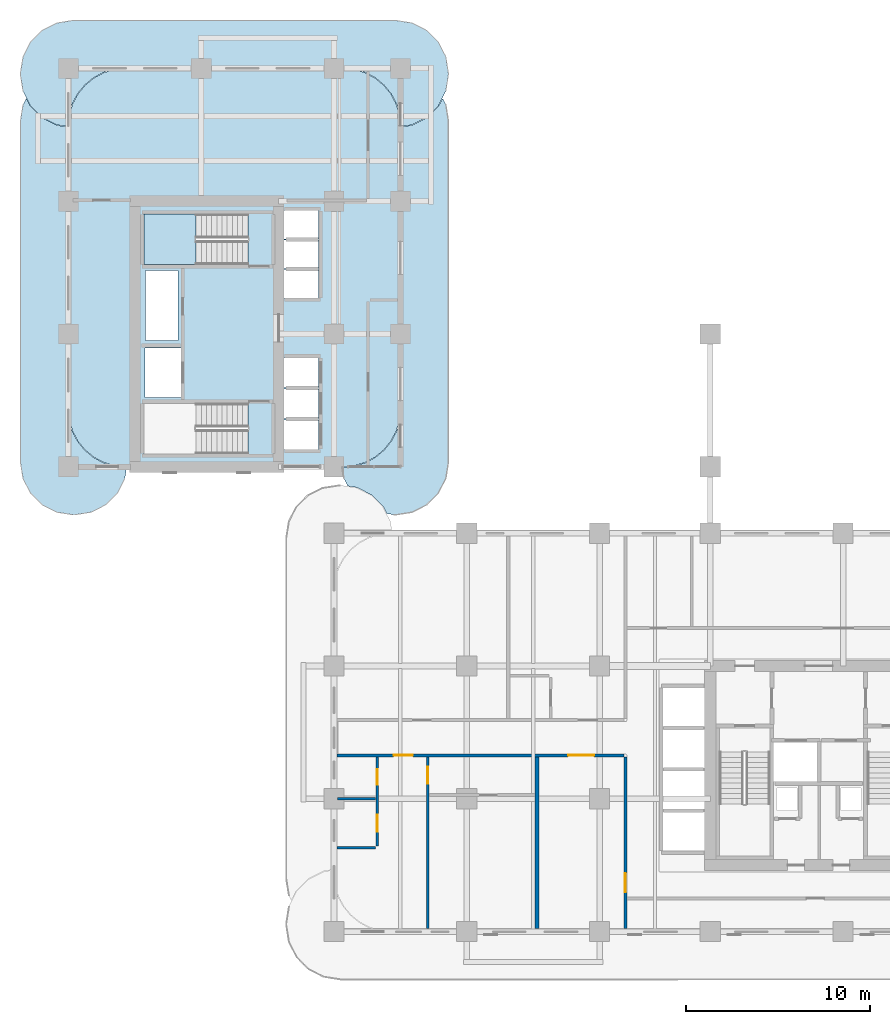
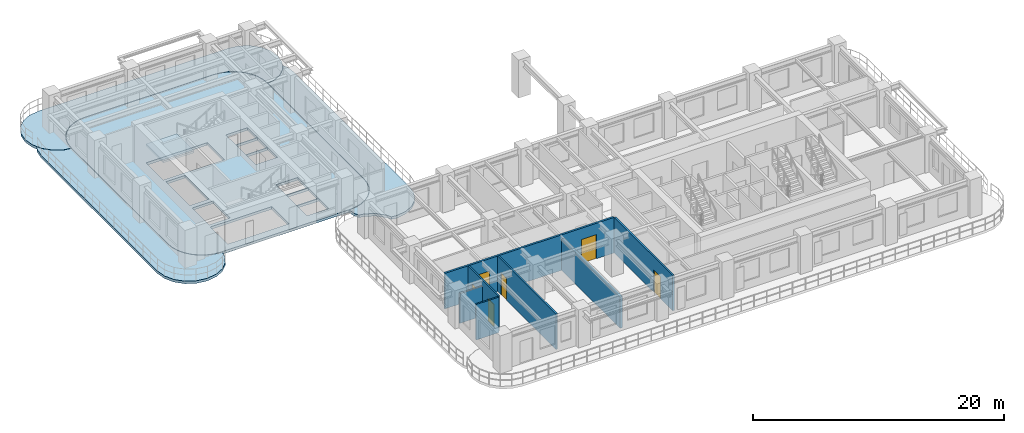
# One storey, part 6 of 19: 7 walls, 6 doors, 5 slabs, 6 openings, 1 element without a shape of its own.
"""IFC4 building model written with IfcOpenShell, lengths in metres."""

from ifc_helpers import new_model, si_unit, derived_unit, direction, frame, frame_2d, origin, place, context, subcontext, project, spatial, polyline, rectangle, outline, extrude, source, transform, mapped, material, layer, layer_set, type_object, type_shapes, element, fill, aggregate, save


model = new_model("IFC4")

# Units and contexts
model_context = context("Model", 3, precision=1e-05, world=origin(), true_north=direction((0.0, 1.0)))
body_context = subcontext(model_context, "Body", "Model", "MODEL_VIEW")
ifc_project = project(units=[si_unit("LENGTHUNIT", "METRE"), si_unit("AREAUNIT", "SQUARE_METRE"), si_unit("VOLUMEUNIT", "CUBIC_METRE"), si_unit("PLANEANGLEUNIT", "RADIAN"), si_unit("MASSUNIT", "GRAM", prefix="KILO"), si_unit("THERMODYNAMICTEMPERATUREUNIT", "KELVIN"), si_unit("POWERUNIT", "WATT"), derived_unit("THERMALTRANSMITTANCEUNIT", [(si_unit("POWERUNIT", "WATT"), 1), (si_unit("AREAUNIT", "SQUARE_METRE"), -1), (si_unit("THERMODYNAMICTEMPERATUREUNIT", "KELVIN"), -1)])], contexts=[model_context])

# Site, building, storey
site_placement = place(None, origin())
site = spatial("IfcSite", under=ifc_project, at=site_placement, CompositionType="ELEMENT")
building_placement = place(site_placement, origin())
building = spatial("IfcBuilding", under=site, at=building_placement, Name="Zahravan Archway Hotel and Residences", CompositionType="ELEMENT")
storey_placement = place(building_placement, frame((0.0, 0.0, 62.0)))
storey = spatial("IfcBuildingStorey", under=building, at=storey_placement, Name="L14", CompositionType="ELEMENT", Elevation=62.0)

# Slabs
ifc_material_1 = material(Name="Concrete C45/55", Category="concrete")
ifc_layer_1 = layer(ifc_material_1, 0.25, Name="Concrete C45/55", Category="concrete")
ifc_layer_set_1 = layer_set([ifc_layer_1], Name="Concrete C45/55")
slab_type_1 = type_object("IfcSlabType", Name="SLB-BALC-250", PredefinedType="FLOOR", material=ifc_layer_set_1)
slab_1_placement = place(storey_placement, frame((0.0, 0.0, -0.25)))
element("IfcSlab", 1, at=slab_1_placement, inside=storey, type_object=slab_type_1, Name="L14 Wing B North Rounded Balcony Band", PredefinedType="FLOOR", context=body_context, shape_type="SweptSolid", body=[
    extrude(outline(polyline([(-0.630615234375, 43.739501953125), (-1.42529296875, 44.144287109375), (-2.0556640625, 44.77490234375), (-2.46044921875, 45.5693359375), (-2.60009765625, 46.449951171875), (-2.60009765625, 46.550048828125), (-2.46044921875, 47.4306640625), (-2.0556640625, 48.22509765625), (-1.42529296875, 48.855712890625), (-0.630615234375, 49.260498046875), (0.25, 49.39990234375), (17.75, 49.39990234375), (18.630615234375, 49.260498046875), (19.42529296875, 48.855712890625), (20.0556640625, 48.22509765625), (20.46044921875, 47.4306640625), (20.60009765625, 46.550048828125), (20.60009765625, 46.449951171875), (20.46044921875, 45.5693359375), (20.0556640625, 44.77490234375), (19.42529296875, 44.144287109375), (18.630615234375, 43.739501953125), (18.02001953125, 43.642822265625), (18.02001953125, 43.699951171875), (18.02001953125, 43.701904296875), (17.960205078125, 44.306884765625), (17.9599609375, 44.30859375), (17.95947265625, 44.310546875), (17.783203125, 44.89208984375), (17.782470703125, 44.89404296875), (17.781494140625, 44.895751953125), (17.4951171875, 45.431640625), (17.494140625, 45.433349609375), (17.4931640625, 45.43505859375), (17.107421875, 45.90478515625), (17.106201171875, 45.906005859375), (17.104736328125, 45.907470703125), (16.635009765625, 46.293212890625), (16.63330078125, 46.294189453125), (16.631591796875, 46.295166015625), (16.095703125, 46.58154296875), (16.093994140625, 46.58251953125), (16.092041015625, 46.5830078125), (15.510498046875, 46.759521484375), (15.5087890625, 46.760009765625), (15.5068359375, 46.76025390625), (14.902099609375, 46.81982421875), (14.89990234375, 46.820068359375), (3.10009765625, 46.820068359375), (3.097900390625, 46.81982421875), (2.4931640625, 46.76025390625), (2.4912109375, 46.760009765625), (2.489501953125, 46.759521484375), (1.907958984375, 46.5830078125), (1.906005859375, 46.58251953125), (1.904296875, 46.58154296875), (1.368408203125, 46.295166015625), (1.36669921875, 46.294189453125), (1.364990234375, 46.293212890625), (0.895263671875, 45.907470703125), (0.893798828125, 45.906005859375), (0.892578125, 45.90478515625), (0.5068359375, 45.43505859375), (0.505859375, 45.433349609375), (0.5048828125, 45.431640625), (0.218505859375, 44.895751953125), (0.217529296875, 44.89404296875), (0.216796875, 44.89208984375), (0.04052734375, 44.310546875), (0.0400390625, 44.30859375), (0.039794921875, 44.306884765625), (-0.02001953125, 43.701904296875), (-0.02001953125, 43.699951171875), (-0.02001953125, 43.642822265625), (-0.630615234375, 43.739501953125)])), origin(), (0.0, 0.0, 1.0), 0.25),
])
slab_2_placement = place(storey_placement, frame((0.0, 0.0, -0.25)))
element("IfcSlab", 2, at=slab_2_placement, inside=storey, type_object=slab_type_1, Name="L14 Wing B West Rounded Balcony Band", PredefinedType="FLOOR", context=body_context, shape_type="SweptSolid", body=[
    extrude(outline(polyline([(3.060546875, 24.5693359375), (2.65576171875, 23.77490234375), (2.025146484375, 23.144287109375), (1.230712890625, 22.739501953125), (0.35009765625, 22.60009765625), (0.25, 22.60009765625), (-0.630615234375, 22.739501953125), (-1.42529296875, 23.144287109375), (-2.0556640625, 23.77490234375), (-2.46044921875, 24.5693359375), (-2.60009765625, 25.449951171875), (-2.60009765625, 43.949951171875), (-2.46044921875, 44.830810546875), (-2.28369140625, 45.177978515625), (-2.073486328125, 44.765625), (-2.072509765625, 44.763916015625), (-2.0712890625, 44.76220703125), (-2.06982421875, 44.7607421875), (-1.439208984375, 44.130126953125), (-1.437744140625, 44.12890625), (-1.43603515625, 44.12744140625), (-1.434326171875, 44.12646484375), (-0.639892578125, 43.7216796875), (-0.637939453125, 43.720703125), (-0.635986328125, 43.72021484375), (-0.6337890625, 43.7197265625), (-0.023193359375, 43.623046875), (-0.021240234375, 43.622802734375), (-0.02001953125, 43.622802734375), (-0.02001953125, 28.300048828125), (-0.02001953125, 28.298095703125), (0.039794921875, 27.693115234375), (0.0400390625, 27.69140625), (0.04052734375, 27.689453125), (0.216796875, 27.10791015625), (0.217529296875, 27.10595703125), (0.218505859375, 27.104248046875), (0.5048828125, 26.568359375), (0.505859375, 26.566650390625), (0.5068359375, 26.56494140625), (0.892578125, 26.09521484375), (0.893798828125, 26.093994140625), (0.895263671875, 26.092529296875), (1.364990234375, 25.706787109375), (1.36669921875, 25.705810546875), (1.368408203125, 25.704833984375), (1.904296875, 25.41845703125), (1.906005859375, 25.41748046875), (1.907958984375, 25.4169921875), (2.489501953125, 25.240478515625), (2.4912109375, 25.239990234375), (2.4931640625, 25.23974609375), (3.097900390625, 25.18017578125), (3.10009765625, 25.179931640625), (3.1572265625, 25.179931640625), (3.060546875, 24.5693359375)])), origin(), (0.0, 0.0, 1.0), 0.25),
])
slab_3_placement = place(storey_placement, frame((0.0, 0.0, -0.25)))
element("IfcSlab", 3, at=slab_3_placement, inside=storey, type_object=slab_type_1, Name="L14 Wing B East Rounded Balcony Band", PredefinedType="FLOOR", context=body_context, shape_type="SweptSolid", body=[
    extrude(outline(polyline([(20.46044921875, 44.830810546875), (20.60009765625, 43.949951171875), (20.60009765625, 25.449951171875), (20.46044921875, 24.5693359375), (20.0556640625, 23.77490234375), (19.42529296875, 23.144287109375), (18.630615234375, 22.739501953125), (17.75, 22.60009765625), (17.64990234375, 22.60009765625), (17.263671875, 22.6611328125), (17.073486328125, 23.0341796875), (17.072509765625, 23.0361328125), (17.0712890625, 23.037841796875), (17.06982421875, 23.039306640625), (16.439208984375, 23.669921875), (16.437744140625, 23.671142578125), (16.43603515625, 23.672607421875), (16.434326171875, 23.673583984375), (15.639892578125, 24.078369140625), (15.637939453125, 24.0791015625), (15.635986328125, 24.079833984375), (15.6337890625, 24.080322265625), (15.149658203125, 24.156982421875), (14.939453125, 24.5693359375), (14.8427734375, 25.179931640625), (14.89990234375, 25.179931640625), (14.902099609375, 25.18017578125), (15.5068359375, 25.23974609375), (15.5087890625, 25.239990234375), (15.510498046875, 25.240478515625), (16.092041015625, 25.4169921875), (16.093994140625, 25.41748046875), (16.095703125, 25.41845703125), (16.631591796875, 25.704833984375), (16.63330078125, 25.705810546875), (16.635009765625, 25.706787109375), (17.104736328125, 26.092529296875), (17.106201171875, 26.093994140625), (17.107421875, 26.09521484375), (17.4931640625, 26.56494140625), (17.494140625, 26.566650390625), (17.4951171875, 26.568359375), (17.781494140625, 27.104248046875), (17.782470703125, 27.10595703125), (17.783203125, 27.10791015625), (17.95947265625, 27.689453125), (17.9599609375, 27.69140625), (17.960205078125, 27.693115234375), (18.02001953125, 28.298095703125), (18.02001953125, 28.300048828125), (18.02001953125, 43.622802734375), (18.021240234375, 43.622802734375), (18.023193359375, 43.623046875), (18.6337890625, 43.7197265625), (18.635986328125, 43.72021484375), (18.637939453125, 43.720703125), (18.639892578125, 43.7216796875), (19.434326171875, 44.12646484375), (19.43603515625, 44.12744140625), (19.437744140625, 44.12890625), (19.439208984375, 44.130126953125), (20.06982421875, 44.7607421875), (20.0712890625, 44.76220703125), (20.072509765625, 44.763916015625), (20.073486328125, 44.765625), (20.28369140625, 45.177978515625), (20.46044921875, 44.830810546875)])), origin(), (0.0, 0.0, 1.0), 0.25),
])
ifc_layer_2 = layer(ifc_material_1, 0.25, Name="Concrete C45/55", Category="concrete")
ifc_layer_set_2 = layer_set([ifc_layer_2], Name="Concrete C45/55")
slab_type_2 = type_object("IfcSlabType", Name="SLB-FLR-250", PredefinedType="FLOOR", material=ifc_layer_set_2)
slab_4_placement = place(storey_placement, frame((0.0, 0.0, -0.25)))
element("IfcSlab", 4, at=slab_4_placement, inside=storey, type_object=slab_type_2, Name="L14 Floor Slab WB", PredefinedType="FLOOR", context=body_context, shape_type="SweptSolid", body=[
    extrude(outline(polyline([(14.89990234375, 25.199951171875), (15.5048828125, 25.259521484375), (16.086181640625, 25.43603515625), (16.622314453125, 25.722412109375), (17.092041015625, 26.10791015625), (17.4775390625, 26.57763671875), (17.763916015625, 27.11376953125), (17.9404296875, 27.6953125), (18.0, 28.300048828125), (18.0, 43.699951171875), (17.9404296875, 44.3046875), (17.763916015625, 44.88623046875), (17.4775390625, 45.42236328125), (17.092041015625, 45.89208984375), (16.622314453125, 46.277587890625), (16.086181640625, 46.56396484375), (15.5048828125, 46.740478515625), (14.89990234375, 46.800048828125), (3.10009765625, 46.800048828125), (2.4951171875, 46.740478515625), (1.913818359375, 46.56396484375), (1.377685546875, 46.277587890625), (0.907958984375, 45.89208984375), (0.5224609375, 45.42236328125), (0.236083984375, 44.88623046875), (0.0595703125, 44.3046875), (0.0, 43.699951171875), (0.0, 28.300048828125), (0.0595703125, 27.6953125), (0.236083984375, 27.11376953125), (0.5224609375, 26.57763671875), (0.907958984375, 26.10791015625), (1.377685546875, 25.722412109375), (1.913818359375, 25.43603515625), (2.4951171875, 25.259521484375), (3.10009765625, 25.199951171875), (14.89990234375, 25.199951171875)]), holes=[polyline([(9.72998046875, 28.639892578125), (4.10009765625, 28.639892578125), (4.10009765625, 25.89990234375), (9.72998046875, 25.89990234375), (9.72998046875, 28.639892578125)]), polyline([(9.72998046875, 38.89990234375), (4.10009765625, 38.89990234375), (4.10009765625, 36.159912109375), (9.72998046875, 36.159912109375), (9.72998046875, 38.89990234375)]), polyline([(4.14990234375, 28.949951171875), (6.10009765625, 28.949951171875), (6.10009765625, 31.64990234375), (4.14990234375, 31.64990234375), (4.14990234375, 28.949951171875)]), polyline([(11.550048828125, 26.14990234375), (13.550048828125, 26.14990234375), (13.550048828125, 27.75), (11.550048828125, 27.75), (11.550048828125, 26.14990234375)]), polyline([(11.550048828125, 27.830078125), (13.550048828125, 27.830078125), (13.550048828125, 29.429931640625), (11.550048828125, 29.429931640625), (11.550048828125, 27.830078125)]), polyline([(11.550048828125, 29.510009765625), (13.550048828125, 29.510009765625), (13.550048828125, 31.110107421875), (11.550048828125, 31.110107421875), (11.550048828125, 29.510009765625)]), polyline([(11.550048828125, 34.35009765625), (13.550048828125, 34.35009765625), (13.550048828125, 35.889892578125), (11.550048828125, 35.889892578125), (11.550048828125, 34.35009765625)]), polyline([(11.550048828125, 35.949951171875), (13.550048828125, 35.949951171875), (13.550048828125, 37.489990234375), (11.550048828125, 37.489990234375), (11.550048828125, 35.949951171875)]), polyline([(11.550048828125, 37.550048828125), (13.550048828125, 37.550048828125), (13.550048828125, 39.090087890625), (11.550048828125, 39.090087890625), (11.550048828125, 37.550048828125)]), polyline([(4.179931640625, 32.050048828125), (5.93994140625, 32.050048828125), (5.93994140625, 35.840087890625), (4.179931640625, 35.840087890625), (4.179931640625, 32.050048828125)])]), origin(), (0.0, 0.0, 1.0), 0.25),
])

# Stair, slab
ifc_material_2 = material(Name="Concrete C50/60", Category="concrete")
stair_type = type_object("IfcStairType", Name="STR-CORE-1300", PredefinedType="HALF_TURN_STAIR", material=ifc_material_2)
stair_placement = place(storey_placement, origin())
stair = element("IfcStair", 5, at=stair_placement, inside=storey, type_object=stair_type, Name="L14 Core B Exit Stair 2", PredefinedType="HALF_TURN_STAIR")
ifc_layer_3 = layer(ifc_material_2, 0.199951171875, Name="Concrete C50/60", Category="concrete")
ifc_layer_set_3 = layer_set([ifc_layer_3], Name="Concrete C50/60")
slab_type_3 = type_object("IfcSlabType", Name="SLB-LND-200", PredefinedType="LANDING", material=ifc_layer_set_3)
slab_5_placement = place(storey_placement, frame((0.0, 0.0, 1.64990234375)))
slab_5 = element("IfcSlab", 6, at=slab_5_placement, type_object=slab_type_3, Name="ST-B2 landing 1", PredefinedType="LANDING", context=body_context, shape_type="SweptSolid", body=[
    extrude(outline(polyline([(6.929931640625, 38.89990234375), (4.10009765625, 38.89990234375), (4.10009765625, 36.159912109375), (6.929931640625, 36.159912109375), (6.929931640625, 38.89990234375)])), origin(), (0.0, 0.0, 1.0), 0.2001953125),
])
aggregate(stair, [slab_5])

# Wall
ifc_material_3 = material(Name="Fire-Rated Gypsum & Concrete Block", Category="concrete")
ifc_layer_4 = layer(ifc_material_3, 0.219970703125, Name="Fire-Rated Gypsum & Concrete Block", Category="concrete")
ifc_layer_set_4 = layer_set([ifc_layer_4], Name="Fire-Rated Gypsum & Concrete Block")
wall_type_1 = type_object("IfcWallType", Name="PW-COMP-220", PredefinedType="PARTITIONING", material=ifc_layer_set_4)
wall_1_placement = place(storey_placement, frame((25.39990234375, 0.16796875, 0.0), z_axis=(0.0, 0.0, 1.0), x_axis=(0.0, 1.0, 0.0)))
element("IfcWall", 7, at=wall_1_placement, inside=storey, type_object=wall_type_1, Name="L14 Partition WAS-3S", PredefinedType="PARTITIONING", context=body_context, shape_type="SweptSolid", body=[
    extrude(rectangle(XDim=9.2919921875, YDim=0.219970703125, at=frame_2d((4.64599609375, 0.0))), origin(), (0.0, 0.0, 1.0), 3.034912109375),
])

# Wall, opening, door
ifc_layer_5 = layer(ifc_material_3, 0.159912109375, Name="Fire-Rated Gypsum & Concrete Block", Category="concrete")
ifc_layer_set_5 = layer_set([ifc_layer_5], Name="Fire-Rated Gypsum & Concrete Block")
wall_type_2 = type_object("IfcWallType", Name="PW-CORR-160", PredefinedType="PARTITIONING", material=ifc_layer_set_5)
wall_2_placement = place(storey_placement, frame((30.199951171875, 0.16796875, 0.0), z_axis=(0.0, 0.0, 1.0), x_axis=(0.0, 1.0, 0.0)))
wall_2 = element("IfcWall", 8, at=wall_2_placement, inside=storey, type_object=wall_type_2, Name="L14 Partition WA-SRW", PredefinedType="PARTITIONING", context=body_context, shape_type="SweptSolid", body=[
    extrude(rectangle(XDim=9.2919921875, YDim=0.159912109375, at=frame_2d((4.64599609375, 0.0))), origin(), (0.0, 0.0, 1.0), 3.449951171875),
])
opening_1_placement = place(wall_2_placement, frame((1.95703125, 0.0, 0.0)))
opening_1 = element("IfcOpeningElement", 9, at=opening_1_placement, cuts=wall_2, Name="Opening FD-L2", PredefinedType="OPENING", context=body_context, shape_type="SweptSolid", body=[
    extrude(rectangle(XDim=1.050048828125, YDim=2.14990234375, at=frame_2d((0.52490234375, 1.074951171875))), frame((0.0, 0.08984375, 0.0), z_axis=(0.0, -1.0, 0.0), x_axis=(1.0, 0.0, 0.0)), (0.0, 0.0, 1.0), 0.179931640625),
])
ifc_material_4 = material(Name="Fire-Rated Painted Steel", Category="steel")
door_type_1 = type_object("IfcDoorType", Name="FD-LOBBY-1100", OperationType="NOTDEFINED", PredefinedType="DOOR", material=ifc_material_4)
shared_shape_1 = source(origin(), body_context, "Body", "SweptSolid", [
    extrude(rectangle(XDim=1.050048828125, YDim=2.14990234375, at=frame_2d((0.52490234375, 1.074951171875))), frame((0.0, 0.02490234375, 0.0), z_axis=(0.0, -1.0, 0.0), x_axis=(1.0, 0.0, 0.0)), (0.0, 0.0, 1.0), 0.050048828125),
])
type_shapes(door_type_1, [shared_shape_1])
door_1_placement = place(opening_1_placement, origin())
door_1 = element("IfcDoor", 10, at=door_1_placement, inside=storey, type_object=door_type_1, Name="L14 South Riser Corridor Door", OperationType="SINGLE_SWING_LEFT", OverallHeight=2.14990234375, OverallWidth=1.050048828125, PredefinedType="DOOR", context=body_context, shape_type="MappedRepresentation", body=[
    mapped(shared_shape_1, transform((0.0, 0.0, 0.0), scale=1.0)),
])
fill(opening_1, door_1)

# Wall, openings, doors
ifc_layer_6 = layer(ifc_material_3, 0.179931640625, Name="Fire-Rated Gypsum & Concrete Block", Category="concrete")
ifc_layer_set_6 = layer_set([ifc_layer_6], Name="Fire-Rated Gypsum & Concrete Block")
wall_type_3 = type_object("IfcWallType", Name="PW-CORR-180", PredefinedType="PARTITIONING", material=ifc_layer_set_6)
wall_3_placement = place(storey_placement, frame((14.568115234375, 9.550048828125, 0.0), z_axis=(0.0, 0.0, 1.0), x_axis=(1.0, 0.0, 0.0)))
wall_3 = element("IfcWall", 11, at=wall_3_placement, inside=storey, type_object=wall_type_3, Name="L14 Partition WA-CS", PredefinedType="PARTITIONING", context=body_context, shape_type="SweptSolid", body=[
    extrude(rectangle(XDim=15.5419921875, YDim=0.179931640625, at=frame_2d((7.77099609375, 0.0))), origin(), (0.0, 0.0, 1.0), 3.449951171875),
])
opening_2_placement = place(wall_3_placement, frame((3.06201171875, 0.0, 0.0)))
opening_2 = element("IfcOpeningElement", 12, at=opening_2_placement, cuts=wall_3, Name="Opening D-U1", PredefinedType="OPENING", context=body_context, shape_type="SweptSolid", body=[
    extrude(rectangle(XDim=1.050048828125, YDim=2.25, at=frame_2d((0.52490234375, 1.125))), frame((0.0, 0.10009765625, 0.0), z_axis=(0.0, -1.0, 0.0), x_axis=(1.0, 0.0, 0.0)), (0.0, 0.0, 1.0), 0.199951171875),
])
opening_3_placement = place(wall_3_placement, frame((12.531982421875, 0.0, 0.0)))
opening_3 = element("IfcOpeningElement", 13, at=opening_3_placement, cuts=wall_3, Name="Opening D-P1", PredefinedType="OPENING", context=body_context, shape_type="SweptSolid", body=[
    extrude(rectangle(XDim=1.39990234375, YDim=2.35009765625, at=frame_2d((0.699951171875, 1.175048828125))), frame((0.0, 0.10009765625, 0.0), z_axis=(0.0, -1.0, 0.0), x_axis=(1.0, 0.0, 0.0)), (0.0, 0.0, 1.0), 0.199951171875),
])
ifc_material_5 = material(Name="Bronze-Anodized Glazed Aluminium", Category="aluminium")
door_type_2 = type_object("IfcDoorType", Name="ID-PUBLIC-1400", OperationType="DOUBLE_DOOR_SINGLE_SWING", PredefinedType="DOOR", material=ifc_material_5)
shared_shape_2 = source(origin(), body_context, "Body", "SweptSolid", [
    extrude(rectangle(XDim=1.39990234375, YDim=2.35009765625, at=frame_2d((0.699951171875, 1.175048828125))), frame((0.0, 0.02490234375, 0.0), z_axis=(0.0, -1.0, 0.0), x_axis=(1.0, 0.0, 0.0)), (0.0, 0.0, 1.0), 0.050048828125),
])
type_shapes(door_type_2, [shared_shape_2])
door_2_placement = place(opening_3_placement, origin())
door_2 = element("IfcDoor", 14, at=door_2_placement, inside=storey, type_object=door_type_2, Name="L14 South Spa Salon Door", OperationType="DOUBLE_DOOR_SINGLE_SWING", OverallHeight=2.35009765625, OverallWidth=1.39990234375, PredefinedType="DOOR", context=body_context, shape_type="MappedRepresentation", body=[
    mapped(shared_shape_2, transform((0.0, 0.0, 0.0), scale=1.0)),
])
fill(opening_3, door_2)
ifc_material_6 = material(Name="Hardwood Veneer Timber", Category="wood")
door_type_3 = type_object("IfcDoorType", Name="ID-UNIT-1050", OperationType="NOTDEFINED", PredefinedType="DOOR", material=ifc_material_6)
shared_shape_3 = source(origin(), body_context, "Body", "SweptSolid", [
    extrude(rectangle(XDim=1.050048828125, YDim=2.25, at=frame_2d((0.52490234375, 1.125))), frame((0.0, 0.02490234375, 0.0), z_axis=(0.0, -1.0, 0.0), x_axis=(1.0, 0.0, 0.0)), (0.0, 0.0, 1.0), 0.050048828125),
])
type_shapes(door_type_3, [shared_shape_3])
door_3_placement = place(opening_2_placement, origin())
door_3 = element("IfcDoor", 15, at=door_3_placement, inside=storey, type_object=door_type_3, Name="L14 Flat HS1 Entrance Door", OperationType="SINGLE_SWING_RIGHT", OverallHeight=2.25, OverallWidth=1.050048828125, PredefinedType="DOOR", context=body_context, shape_type="MappedRepresentation", body=[
    mapped(shared_shape_3, transform((0.0, 0.0, 0.0), scale=1.0)),
])
fill(opening_2, door_3)

# Wall, opening, door
ifc_material_7 = material(Name="Acoustic Stud Partition")
ifc_layer_7 = layer(ifc_material_7, 0.14990234375, Name="Acoustic Stud Partition")
ifc_layer_set_7 = layer_set([ifc_layer_7], Name="Acoustic Stud Partition")
wall_type_4 = type_object("IfcWallType", Name="PW-UNIT-150", PredefinedType="PARTITIONING", material=ifc_layer_set_7)
wall_4_placement = place(storey_placement, frame((19.47998046875, 0.16796875, 0.0), z_axis=(0.0, 0.0, 1.0), x_axis=(0.0, 1.0, 0.0)))
wall_4 = element("IfcWall", 16, at=wall_4_placement, inside=storey, type_object=wall_type_4, Name="L14 Partition FL-HS1-SP", PredefinedType="PARTITIONING", context=body_context, shape_type="SweptSolid", body=[
    extrude(rectangle(XDim=9.2919921875, YDim=0.14990234375, at=frame_2d((4.64599609375, 0.0))), origin(), (0.0, 0.0, 1.0), 3.449951171875),
])
opening_4_placement = place(wall_4_placement, frame((7.85693359375, 0.0, 0.0)))
opening_4 = element("IfcOpeningElement", 17, at=opening_4_placement, cuts=wall_4, Name="Opening D-I2", PredefinedType="OPENING", context=body_context, shape_type="SweptSolid", body=[
    extrude(rectangle(XDim=0.89990234375, YDim=2.14990234375, at=frame_2d((0.449951171875, 1.074951171875))), frame((0.0, 0.0849609375, 0.0), z_axis=(0.0, -1.0, 0.0), x_axis=(1.0, 0.0, 0.0)), (0.0, 0.0, 1.0), 0.169921875),
])
door_type_4 = type_object("IfcDoorType", Name="ID-INT-900", OperationType="NOTDEFINED", PredefinedType="DOOR", material=ifc_material_6)
shared_shape_4 = source(origin(), body_context, "Body", "SweptSolid", [
    extrude(rectangle(XDim=0.89990234375, YDim=2.14990234375, at=frame_2d((0.449951171875, 1.074951171875))), frame((0.0, 0.02490234375, 0.0), z_axis=(0.0, -1.0, 0.0), x_axis=(1.0, 0.0, 0.0)), (0.0, 0.0, 1.0), 0.050048828125),
])
type_shapes(door_type_4, [shared_shape_4])
door_4_placement = place(opening_4_placement, origin())
door_4 = element("IfcDoor", 18, at=door_4_placement, inside=storey, type_object=door_type_4, Name="L14 Flat HS1 Bedroom Hall Door", OperationType="SINGLE_SWING_LEFT", OverallHeight=2.14990234375, OverallWidth=0.89990234375, PredefinedType="DOOR", context=body_context, shape_type="MappedRepresentation", body=[
    mapped(shared_shape_4, transform((0.0, 0.0, 0.0), scale=1.0)),
])
fill(opening_4, door_4)

# Wall, openings, doors
ifc_material_8 = material(Name="Moisture-Resistant Blockwork", Category="masonry")
ifc_layer_8 = layer(ifc_material_8, 0.139892578125, Name="Moisture-Resistant Blockwork", Category="masonry")
ifc_layer_set_8 = layer_set([ifc_layer_8], Name="Moisture-Resistant Blockwork")
wall_type_5 = type_object("IfcWallType", Name="PW-WET-140", PredefinedType="PARTITIONING", material=ifc_layer_set_8)
wall_5_placement = place(storey_placement, frame((16.75, 4.639892578125, 0.0), z_axis=(0.0, 0.0, 1.0), x_axis=(0.0, 1.0, 0.0)))
wall_5 = element("IfcWall", 19, at=wall_5_placement, inside=storey, type_object=wall_type_5, Name="L14 Partition FL-HS1-BV", PredefinedType="PARTITIONING", context=body_context, shape_type="SweptSolid", body=[
    extrude(rectangle(XDim=4.820068359375, YDim=0.139892578125, at=frame_2d((2.41015625, 0.0))), origin(), (0.0, 0.0, 1.0), 3.449951171875),
])
opening_5_placement = place(wall_5_placement, frame((0.784912109375, 0.0, 0.0)))
opening_5 = element("IfcOpeningElement", 20, at=opening_5_placement, cuts=wall_5, Name="Opening D-I2", PredefinedType="OPENING", context=body_context, shape_type="SweptSolid", body=[
    extrude(rectangle(XDim=0.89990234375, YDim=2.14990234375, at=frame_2d((0.449951171875, 1.074951171875))), frame((0.0, 0.080078125, 0.0), z_axis=(0.0, -1.0, 0.0), x_axis=(1.0, 0.0, 0.0)), (0.0, 0.0, 1.0), 0.159912109375),
])
opening_6_placement = place(wall_5_placement, frame((3.31005859375, 0.0, 0.0)))
opening_6 = element("IfcOpeningElement", 21, at=opening_6_placement, cuts=wall_5, Name="Opening D-B1", PredefinedType="OPENING", context=body_context, shape_type="SweptSolid", body=[
    extrude(rectangle(XDim=0.85009765625, YDim=2.10009765625, at=frame_2d((0.425048828125, 1.050048828125))), frame((0.0, 0.080078125, 0.0), z_axis=(0.0, -1.0, 0.0), x_axis=(1.0, 0.0, 0.0)), (0.0, 0.0, 1.0), 0.159912109375),
])
door_type_5 = type_object("IfcDoorType", Name="ID-BATH-850", OperationType="NOTDEFINED", PredefinedType="DOOR", material=ifc_material_6)
shared_shape_5 = source(origin(), body_context, "Body", "SweptSolid", [
    extrude(rectangle(XDim=0.85009765625, YDim=2.10009765625, at=frame_2d((0.425048828125, 1.050048828125))), frame((0.0, 0.02490234375, 0.0), z_axis=(0.0, -1.0, 0.0), x_axis=(1.0, 0.0, 0.0)), (0.0, 0.0, 1.0), 0.050048828125),
])
type_shapes(door_type_5, [shared_shape_5])
door_5_placement = place(opening_6_placement, origin())
door_5 = element("IfcDoor", 22, at=door_5_placement, inside=storey, type_object=door_type_5, Name="L14 Flat HS1 Bathroom Door", OperationType="SINGLE_SWING_LEFT", OverallHeight=2.10009765625, OverallWidth=0.85009765625, PredefinedType="DOOR", context=body_context, shape_type="MappedRepresentation", body=[
    mapped(shared_shape_5, transform((0.0, 0.0, 0.0), scale=1.0)),
])
fill(opening_6, door_5)
door_6_placement = place(opening_5_placement, origin())
door_6 = element("IfcDoor", 23, at=door_6_placement, inside=storey, type_object=door_type_4, Name="L14 Flat HS1 Kitchen Door", OperationType="SINGLE_SWING_RIGHT", OverallHeight=2.14990234375, OverallWidth=0.89990234375, PredefinedType="DOOR", context=body_context, shape_type="MappedRepresentation", body=[
    mapped(shared_shape_4, transform((0.0, 0.0, 0.0), scale=1.0)),
])
fill(opening_5, door_6)

# Walls
wall_6_placement = place(storey_placement, frame((14.590087890625, 7.199951171875, 0.0), z_axis=(0.0, 0.0, 1.0), x_axis=(1.0, 0.0, 0.0)))
element("IfcWall", 24, at=wall_6_placement, inside=storey, type_object=wall_type_5, Name="L14 Partition FL-HS1-BM", PredefinedType="PARTITIONING", context=body_context, shape_type="SweptSolid", body=[
    extrude(rectangle(XDim=2.06982421875, YDim=0.139892578125, at=frame_2d((1.034912109375, 0.0))), origin(), (0.0, 0.0, 1.0), 2.885009765625),
])
wall_7_placement = place(storey_placement, frame((14.568115234375, 4.550048828125, 0.0), z_axis=(0.0, 0.0, 1.0), x_axis=(1.0, 0.0, 0.0)))
element("IfcWall", 25, at=wall_7_placement, inside=storey, type_object=wall_type_5, Name="L14 Partition FL-HS1-KH", PredefinedType="PARTITIONING", context=body_context, shape_type="SweptSolid", body=[
    extrude(rectangle(XDim=2.091796875, YDim=0.139892578125, at=frame_2d((1.0458984375, 0.0))), origin(), (0.0, 0.0, 1.0), 3.449951171875),
])

save(model, "model.ifc")
